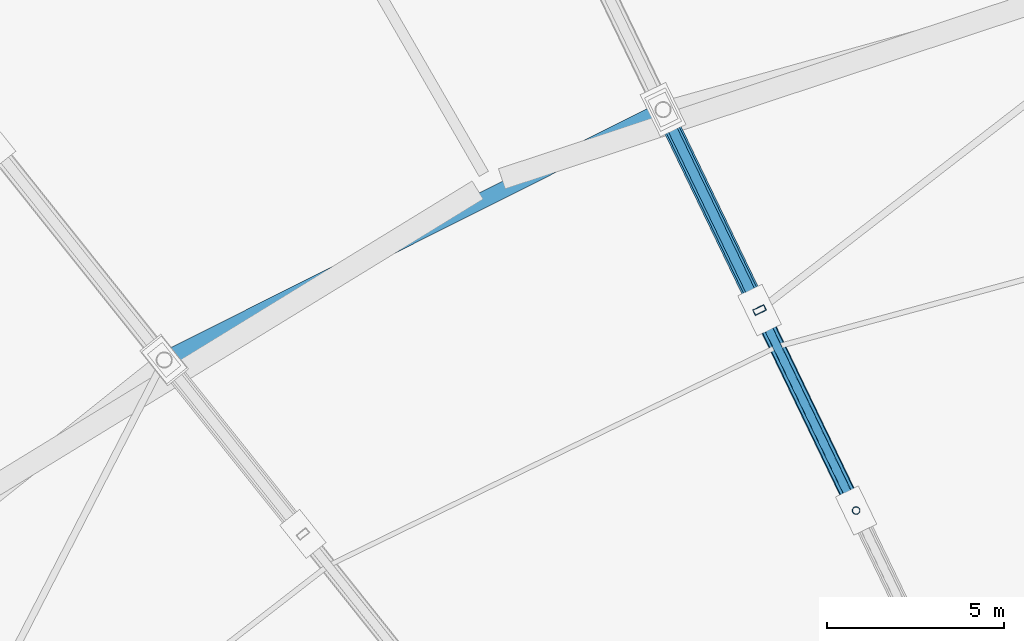
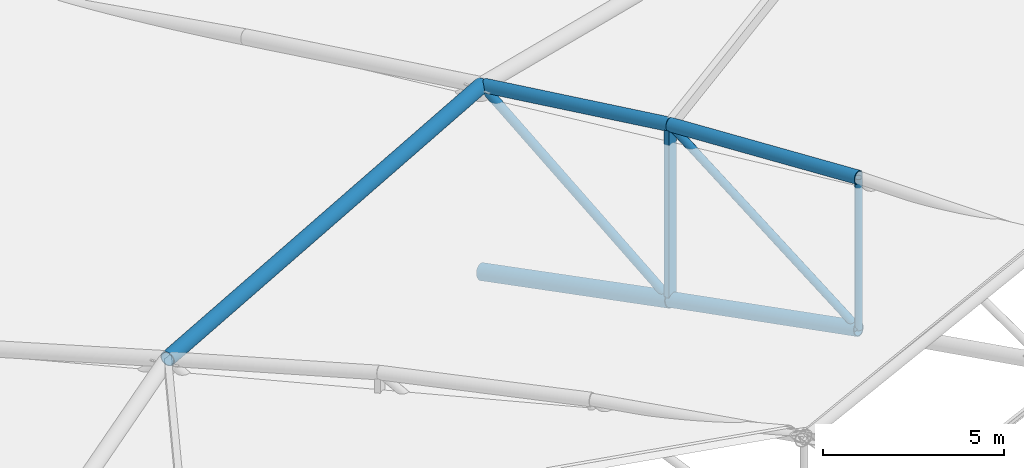
# One storey, part 44 of 108: 9 members.
"""IFC4 building model written with IfcOpenShell, lengths in metres."""

from ifc_helpers import new_model, si_unit, direction, frame, origin, origin_2d, place, context, subcontext, project, spatial, hollow_rectangle, hollow_circle, extrude, material, material_profile, profile_set, type_object, element, save


model = new_model("IFC4")

# Units and contexts
model_context = context("Model", 3, precision=1e-05, world=origin(), true_north=direction((0.0, 1.0)))
body_context = subcontext(model_context, "Body", "Model", "MODEL_VIEW")
ifc_project = project(units=[si_unit("LENGTHUNIT", "METRE"), si_unit("AREAUNIT", "SQUARE_METRE"), si_unit("VOLUMEUNIT", "CUBIC_METRE"), si_unit("PLANEANGLEUNIT", "RADIAN"), si_unit("MASSUNIT", "GRAM", prefix="KILO")], contexts=[model_context])

# Site, building, storey
site_placement = place(None, origin())
site = spatial("IfcSite", under=ifc_project, at=site_placement, CompositionType="ELEMENT")
building_placement = place(site_placement, origin())
building = spatial("IfcBuilding", under=site, at=building_placement, Name="Zevraka Park Crest Stadium", CompositionType="ELEMENT")
storey_placement = place(building_placement, frame((0.0, 0.0, 29.39990234375)))
storey = spatial("IfcBuildingStorey", under=building, at=storey_placement, Name="RF", CompositionType="ELEMENT", Elevation=29.39990234375)

# Members
ifc_material_1 = material(Name="Steel S355", Category="steel")
ifc_material_profile_1 = material_profile(ifc_material_1, hollow_circle(Radius=0.25390625, WallThickness=0.030029296875, at=origin_2d()), Name="CHS 508.0x30")
ifc_profile_set_1 = profile_set([ifc_material_profile_1], Name="Steel S355")
member_type_1 = type_object("IfcMemberType", Name="TC01", PredefinedType="CHORD", material=ifc_profile_set_1)
member_1_placement = place(storey_placement, frame((79.676025390625, 145.60791015625, 0.900146484375), z_axis=(0.42125253648, -0.874906219459, 0.238925527435), x_axis=(0.901001108726, 0.433816783994, 0.0)))
element("IfcMember", 1, at=member_1_placement, inside=storey, type_object=member_type_1, Name="Roof Truss Bottom Chord TC01 T10-3", PredefinedType="CHORD", context=body_context, shape_type="SweptSolid", body=[
    extrude(hollow_circle(Radius=0.25390625, WallThickness=0.030029296875, at=origin_2d()), origin(), (0.0, 0.0, 1.0), 6.487548828125),
])
ifc_material_2 = material(Name="Steel S355", Category="steel")
ifc_material_profile_2 = material_profile(ifc_material_2, hollow_circle(Radius=0.228515625, WallThickness=0.02490234375, at=origin_2d()), Name="CHS 457.0x25")
ifc_profile_set_2 = profile_set([ifc_material_profile_2], Name="Steel S355")
member_type_2 = type_object("IfcMemberType", Name="TC02", PredefinedType="CHORD", material=ifc_profile_set_2)
member_2_placement = place(storey_placement, frame((82.408935546875, 139.931884765625, 2.4501953125), z_axis=(0.422117665137, -0.876462368732, 0.231582367586), x_axis=(0.900954548252, 0.433913472923, 0.0)))
element("IfcMember", 2, at=member_2_placement, inside=storey, type_object=member_type_2, Name="Roof Truss Bottom Chord TC02 T10-4", PredefinedType="CHORD", context=body_context, shape_type="SweptSolid", body=[
    extrude(hollow_circle(Radius=0.228515625, WallThickness=0.02490234375, at=origin_2d()), origin(), (0.0, 0.0, 1.0), 6.477294921875),
])
member_3_placement = place(storey_placement, frame((79.676025390625, 145.60791015625, 7.2001953125), z_axis=(-0.893771273237, -0.448523033006, 0.0), x_axis=(0.448523033006, -0.893771273237, 0.0)))
element("IfcMember", 3, at=member_3_placement, inside=storey, type_object=member_type_2, Name="Roof Main Bowl-Rim Ring Chord TC02 10", PredefinedType="CHORD", context=body_context, shape_type="SweptSolid", body=[
    extrude(hollow_circle(Radius=0.228515625, WallThickness=0.02490234375, at=origin_2d()), origin(), (0.0, 0.0, 1.0), 15.804931640625),
])
ifc_material_3 = material(Name="Steel S355", Category="steel")
ifc_material_profile_3 = material_profile(ifc_material_3, hollow_circle(Radius=0.203125, WallThickness=0.02001953125, at=origin_2d()), Name="CHS 406.4x20")
ifc_profile_set_3 = profile_set([ifc_material_profile_3], Name="Steel S355")
member_type_3 = type_object("IfcMemberType", Name="TC03", PredefinedType="CHORD", material=ifc_profile_set_3)
member_4_placement = place(storey_placement, frame((79.676025390625, 145.60791015625, 7.2001953125), z_axis=(0.426765469753, -0.886356119911, 0.179566317897), x_axis=(0.901001108726, 0.433816783994, 0.0)))
element("IfcMember", 4, at=member_4_placement, inside=storey, type_object=member_type_3, Name="Roof Truss Top Chord TC03 T10-3", PredefinedType="CHORD", context=body_context, shape_type="SweptSolid", body=[
    extrude(hollow_circle(Radius=0.203125, WallThickness=0.02001953125, at=origin_2d()), origin(), (0.0, 0.0, 1.0), 6.40380859375),
])
member_5_placement = place(storey_placement, frame((82.408935546875, 139.931884765625, 8.35009765625), z_axis=(0.431260825212, -0.895446733517, 0.110404927751), x_axis=(0.900954548252, 0.433913472923, 0.0)))
element("IfcMember", 5, at=member_5_placement, inside=storey, type_object=member_type_3, Name="Roof Truss Top Chord TC03 T10-4", PredefinedType="CHORD", context=body_context, shape_type="SweptSolid", body=[
    extrude(hollow_circle(Radius=0.203125, WallThickness=0.02001953125, at=origin_2d()), origin(), (0.0, 0.0, 1.0), 6.33984375),
])
ifc_material_4 = material(Name="Steel S355", Category="steel")
ifc_material_profile_4 = material_profile(ifc_material_4, hollow_circle(Radius=0.136474609375, WallThickness=0.012451171875, at=origin_2d()), Name="CHS 273.0x12.5")
ifc_profile_set_4 = profile_set([ifc_material_profile_4], Name="Steel S355")
member_type_4 = type_object("IfcMemberType", Name="WB01", PredefinedType="BRACE", material=ifc_profile_set_4)
member_6_placement = place(storey_placement, frame((82.408935546875, 139.931884765625, 2.4501953125), z_axis=(-0.346386288521, 0.719415295857, 0.602044991019), x_axis=(-0.901001108726, -0.433816783994, 0.0)))
element("IfcMember", 6, at=member_6_placement, inside=storey, type_object=member_type_4, Name="Roof Truss Web Diagonal WB01 T10-3", PredefinedType="BRACE", context=body_context, shape_type="SweptSolid", body=[
    extrude(hollow_circle(Radius=0.136474609375, WallThickness=0.012451171875, at=origin_2d()), origin(), (0.0, 0.0, 1.0), 7.889892578125),
])
ifc_material_5 = material(Name="Steel S355", Category="steel")
ifc_material_profile_5 = material_profile(ifc_material_5, hollow_circle(Radius=0.109619140625, WallThickness=0.010009765625, at=origin_2d()), Name="CHS 219.1x10")
ifc_profile_set_5 = profile_set([ifc_material_profile_5], Name="Steel S355")
member_type_5 = type_object("IfcMemberType", Name="WB02", PredefinedType="BRACE", material=ifc_profile_set_5)
member_7_placement = place(storey_placement, frame((85.14306640625, 134.2548828125, 3.9501953125), z_axis=(0.0, 0.0, 1.0), x_axis=(-0.43381634559, 0.90100131981, 0.0)))
element("IfcMember", 7, at=member_7_placement, inside=storey, type_object=member_type_5, Name="Roof Truss Web Post WB02 T10-4", PredefinedType="BRACE", context=body_context, shape_type="SweptSolid", body=[
    extrude(hollow_circle(Radius=0.109619140625, WallThickness=0.010009765625, at=origin_2d()), origin(), (0.0, 0.0, 1.0), 5.099853515625),
])
ifc_material_6 = material(Name="Steel S355", Category="steel")
ifc_material_profile_6 = material_profile(ifc_material_6, hollow_circle(Radius=0.122314453125, WallThickness=0.012451171875, at=origin_2d()), Name="CHS 244.5x12.5")
ifc_profile_set_6 = profile_set([ifc_material_profile_6], Name="Steel S355")
member_type_6 = type_object("IfcMemberType", Name="WB07", PredefinedType="BRACE", material=ifc_profile_set_6)
member_8_placement = place(storey_placement, frame((85.14306640625, 134.2548828125, 3.9501953125), z_axis=(-0.355763738471, 0.738688651725, 0.572513089983), x_axis=(-0.900954548252, -0.433913472923, 0.0)))
element("IfcMember", 8, at=member_8_placement, inside=storey, type_object=member_type_6, Name="Roof Truss Web Diagonal WB07 T10-4", PredefinedType="BRACE", context=body_context, shape_type="SweptSolid", body=[
    extrude(hollow_circle(Radius=0.122314453125, WallThickness=0.012451171875, at=origin_2d()), origin(), (0.0, 0.0, 1.0), 7.685302734375),
])
ifc_material_7 = material(Name="Steel S355", Category="steel")
ifc_material_profile_7 = material_profile(ifc_material_7, hollow_rectangle(XDim=0.175048828125, YDim=0.35009765625, WallThickness=0.012451171875, at=origin_2d()), Name="RHS 350x175x12.5")
ifc_profile_set_7 = profile_set([ifc_material_profile_7], Name="Steel S355")
member_type_7 = type_object("IfcMemberType", Name="WB09", PredefinedType="BRACE", material=ifc_profile_set_7)
member_9_placement = place(storey_placement, frame((82.408935546875, 139.931884765625, 2.4501953125), z_axis=(0.0, 0.0, 1.0), x_axis=(-0.43381634559, 0.90100131981, 0.0)))
element("IfcMember", 9, at=member_9_placement, inside=storey, type_object=member_type_7, Name="Roof Truss Web Post WB09 T10-3", PredefinedType="BRACE", context=body_context, shape_type="SweptSolid", body=[
    extrude(hollow_rectangle(XDim=0.175048828125, YDim=0.35009765625, WallThickness=0.012451171875, at=origin_2d()), origin(), (0.0, 0.0, 1.0), 5.89990234375),
])

save(model, "model.ifc")
